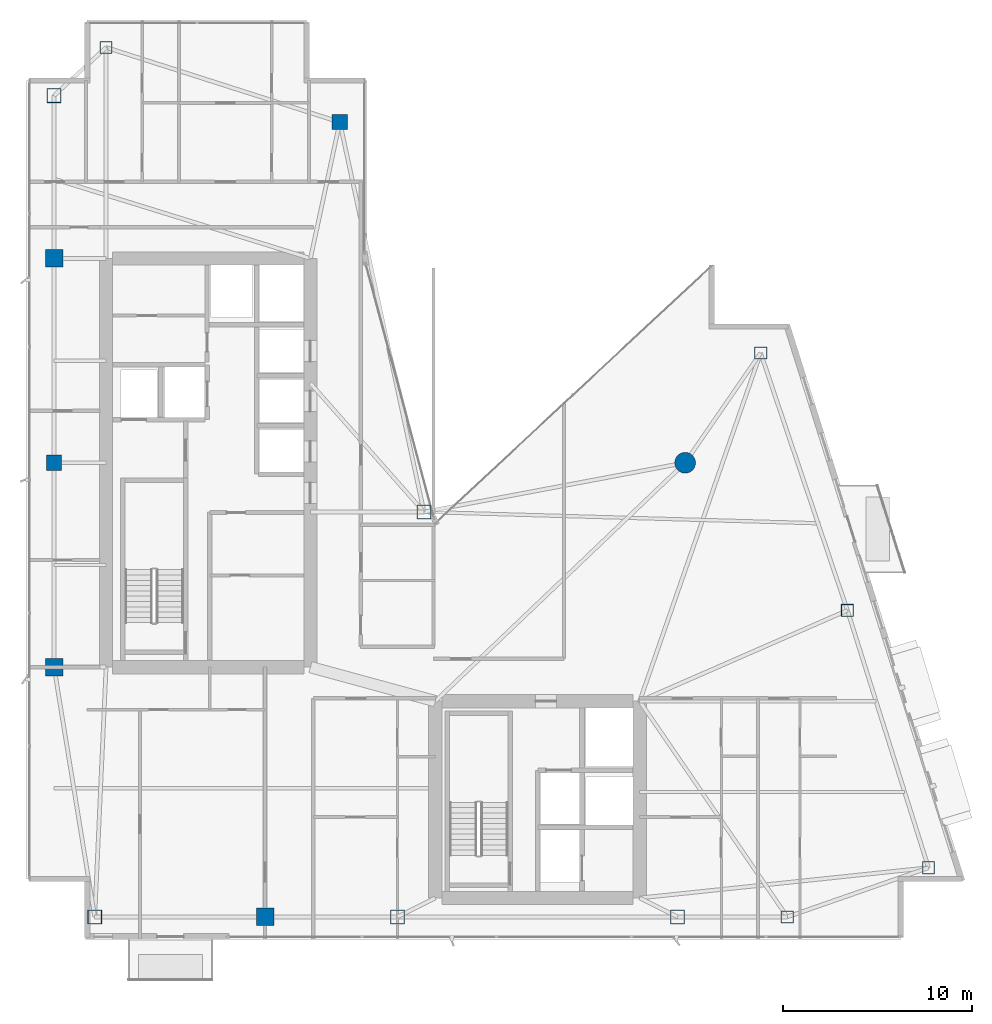
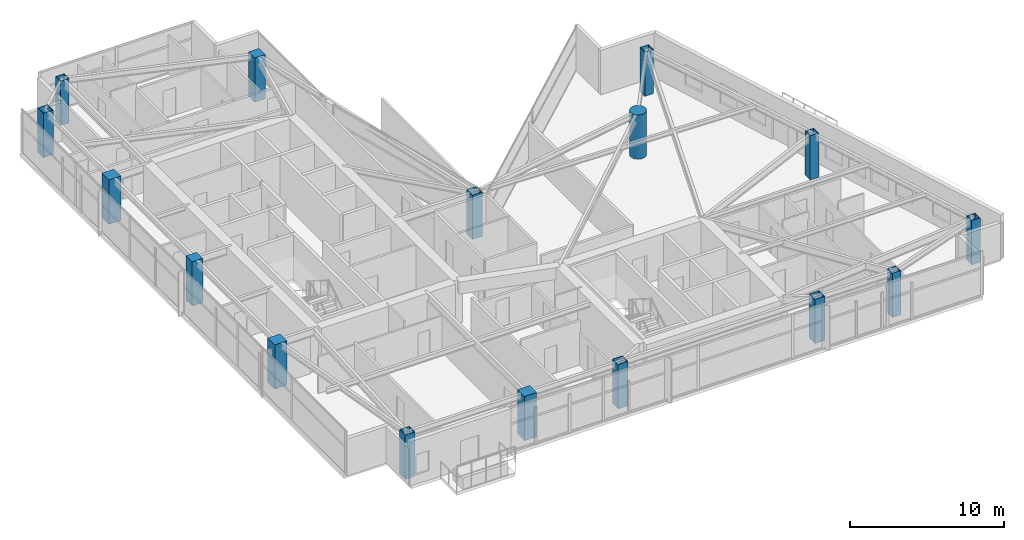
# One storey, part 1 of 27: 16 columns.
"""IFC4 building model written with IfcOpenShell, lengths in metres."""

from ifc_helpers import new_model, si_unit, direction, frame, origin, origin_2d, place, context, subcontext, project, spatial, rectangle, hollow_rectangle, circle, extrude, material, material_profile, profile_set, type_object, element, save


model = new_model("IFC4")

# Units and contexts
model_context = context("Model", 3, precision=1e-05, world=origin(), true_north=direction((0.0, 1.0)))
body_context = subcontext(model_context, "Body", "Model", "MODEL_VIEW")
ifc_project = project(units=[si_unit("LENGTHUNIT", "METRE"), si_unit("AREAUNIT", "SQUARE_METRE"), si_unit("VOLUMEUNIT", "CUBIC_METRE"), si_unit("PLANEANGLEUNIT", "RADIAN"), si_unit("MASSUNIT", "GRAM", prefix="KILO")], contexts=[model_context])

# Site, building, storey
site_placement = place(None, origin())
site = spatial("IfcSite", under=ifc_project, at=site_placement, CompositionType="ELEMENT")
building_placement = place(site_placement, origin())
building = spatial("IfcBuilding", under=site, at=building_placement, Name="Calvorn Quay Hotel", CompositionType="ELEMENT")
storey_placement = place(building_placement, frame((0.0, 0.0, 230.699951171875)))
storey = spatial("IfcBuildingStorey", under=building, at=storey_placement, Name="L57", CompositionType="ELEMENT", Elevation=230.699951171875)

# Columns
ifc_material_1 = material(Name="Concrete C45", Category="concrete")
ifc_material_profile_1 = material_profile(ifc_material_1, rectangle(XDim=0.800048828125, YDim=0.800048828125, at=origin_2d()), Name="RC800x800")
ifc_profile_set_1 = profile_set([ifc_material_profile_1], Name="Concrete C45")
column_type_1 = type_object("IfcColumnType", Name="COL-RC-800", PredefinedType="COLUMN", material=ifc_profile_set_1)
for number, where, z_axis, x_axis, name in (
    (1, (1.449951171875, 27.60009765625, 0.0), (0.0, 0.0, 1.0), (1.0, 0.0, 0.0), "Column C-W3 (L57)"),
    (2, (16.550048828125, 45.60009765625, 0.0), (0.0, 0.0, 1.0), (1.0, 0.0, 0.0), "Column C-IC1 (L57)"),
):
    element("IfcColumn", number, at=place(storey_placement, frame(where, z_axis=z_axis, x_axis=x_axis)), inside=storey, type_object=column_type_1, Name=name, PredefinedType="COLUMN", context=body_context, shape_type="SweptSolid", body=[
        extrude(rectangle(XDim=0.800048828125, YDim=0.800048828125, at=origin_2d()), origin(), (0.0, 0.0, 1.0), 3.52001953125),
    ])
ifc_material_2 = material(Name="Concrete C45", Category="concrete")
ifc_material_profile_2 = material_profile(ifc_material_2, rectangle(XDim=0.919921875, YDim=0.919921875, at=origin_2d()), Name="RC920x920")
ifc_profile_set_2 = profile_set([ifc_material_profile_2], Name="Concrete C45")
column_type_2 = type_object("IfcColumnType", Name="COL-RC-920", PredefinedType="COLUMN", material=ifc_profile_set_2)
for number, where, z_axis, x_axis, name in (
    (3, (1.449951171875, 16.800048828125, 0.0), (0.0, 0.0, 1.0), (1.0, 0.0, 0.0), "Column C-W2 (L57)"),
    (4, (1.449951171875, 38.39990234375, 0.0), (0.0, 0.0, 1.0), (1.0, 0.0, 0.0), "Column C-W4 (L57)"),
    (5, (12.60009765625, 3.60009765625, 0.0), (0.0, 0.0, 1.0), (1.0, 0.0, 0.0), "Column C-S1 (L57)"),
):
    element("IfcColumn", number, at=place(storey_placement, frame(where, z_axis=z_axis, x_axis=x_axis)), inside=storey, type_object=column_type_2, Name=name, PredefinedType="COLUMN", context=body_context, shape_type="SweptSolid", body=[
        extrude(rectangle(XDim=0.919921875, YDim=0.919921875, at=origin_2d()), origin(), (0.0, 0.0, 1.0), 3.52001953125),
    ])
ifc_material_3 = material(Name="Concrete C50", Category="concrete")
ifc_material_profile_3 = material_profile(ifc_material_3, circle(Radius=0.550048828125, at=origin_2d()), Name="RCD1100")
ifc_profile_set_3 = profile_set([ifc_material_profile_3], Name="Concrete C50")
column_type_3 = type_object("IfcColumnType", Name="COL-RC-D1100", PredefinedType="COLUMN", material=ifc_profile_set_3)
column_placement = place(storey_placement, frame((34.800048828125, 27.60009765625, 0.0), z_axis=(0.0, 0.0, 1.0), x_axis=(1.0, 0.0, 0.0)))
element("IfcColumn", 6, at=column_placement, inside=storey, type_object=column_type_3, Name="Column C-NC1 (L57)", PredefinedType="COLUMN", context=body_context, shape_type="SweptSolid", body=[
    extrude(circle(Radius=0.550048828125, at=origin_2d()), origin(), (0.0, 0.0, 1.0), 3.52001953125),
])
ifc_material_4 = material(Name="Steel Q390GJC", Category="steel")
ifc_material_profile_4 = material_profile(ifc_material_4, hollow_rectangle(XDim=0.75, YDim=0.75, WallThickness=0.031982421875, at=origin_2d()), Name="BOX750x750x32")
ifc_profile_set_4 = profile_set([ifc_material_profile_4], Name="Steel Q390GJC")
column_type_4 = type_object("IfcColumnType", Name="COL-STL-Z3", PredefinedType="COLUMN", material=ifc_profile_set_4)
for number, where, z_axis, x_axis, name in (
    (7, (3.60009765625, 3.60009765625, 0.0), (0.0, 0.0, 1.0), (1.0, 0.0, 0.0), "Column C-W1 (L57)"),
    (8, (1.449951171875, 47.0, 0.0), (0.0, 0.0, 1.0), (1.0, 0.0, 0.0), "Column C-W5 (L57)"),
    (9, (21.0, 25.0, 0.0), (0.0, 0.0, 1.0), (1.0, 0.0, 0.0), "Column C-IC2 (L57)"),
    (10, (19.60009765625, 3.60009765625, 0.0), (0.0, 0.0, 1.0), (1.0, 0.0, 0.0), "Column C-S2 (L57)"),
    (11, (34.39990234375, 3.60009765625, 0.0), (0.0, 0.0, 1.0), (1.0, 0.0, 0.0), "Column C-S3 (L57)"),
):
    element("IfcColumn", number, at=place(storey_placement, frame(where, z_axis=z_axis, x_axis=x_axis)), inside=storey, type_object=column_type_4, Name=name, PredefinedType="COLUMN", context=body_context, shape_type="SweptSolid", body=[
        extrude(hollow_rectangle(XDim=0.75, YDim=0.75, WallThickness=0.031982421875, at=origin_2d()), origin(), (0.0, 0.0, 1.0), 3.52001953125),
    ])
ifc_material_5 = material(Name="Steel Q355B", Category="steel")
ifc_material_profile_5 = material_profile(ifc_material_5, hollow_rectangle(XDim=0.64990234375, YDim=0.64990234375, WallThickness=0.028076171875, at=origin_2d()), Name="BOX650x650x28")
ifc_profile_set_5 = profile_set([ifc_material_profile_5], Name="Steel Q355B")
column_type_5 = type_object("IfcColumnType", Name="COL-STL-Z4", PredefinedType="COLUMN", material=ifc_profile_set_5)
for number, where, z_axis, x_axis, name in (
    (12, (4.199951171875, 49.550048828125, 0.0), (0.0, 0.0, 1.0), (1.0, 0.0, 0.0), "Column C-NW1 (L57)"),
    (13, (40.199951171875, 3.60009765625, 0.0), (0.0, 0.0, 1.0), (1.0, 0.0, 0.0), "Column C-S4 (L57)"),
    (14, (47.660888671875, 6.199951171875, 0.0), (0.0, 0.0, 1.0), (1.0, 0.0, 0.0), "Column C-ET1 (L57)"),
    (15, (43.3759765625, 19.800048828125, 0.0), (0.0, 0.0, 1.0), (1.0, 0.0, 0.0), "Column C-ET2 (L57)"),
    (16, (38.791015625, 33.39990234375, 0.0), (0.0, 0.0, 1.0), (1.0, 0.0, 0.0), "Column C-ET3 (L57)"),
):
    element("IfcColumn", number, at=place(storey_placement, frame(where, z_axis=z_axis, x_axis=x_axis)), inside=storey, type_object=column_type_5, Name=name, PredefinedType="COLUMN", context=body_context, shape_type="SweptSolid", body=[
        extrude(hollow_rectangle(XDim=0.64990234375, YDim=0.64990234375, WallThickness=0.028076171875, at=origin_2d()), origin(), (0.0, 0.0, 1.0), 3.52001953125),
    ])

save(model, "model.ifc")
